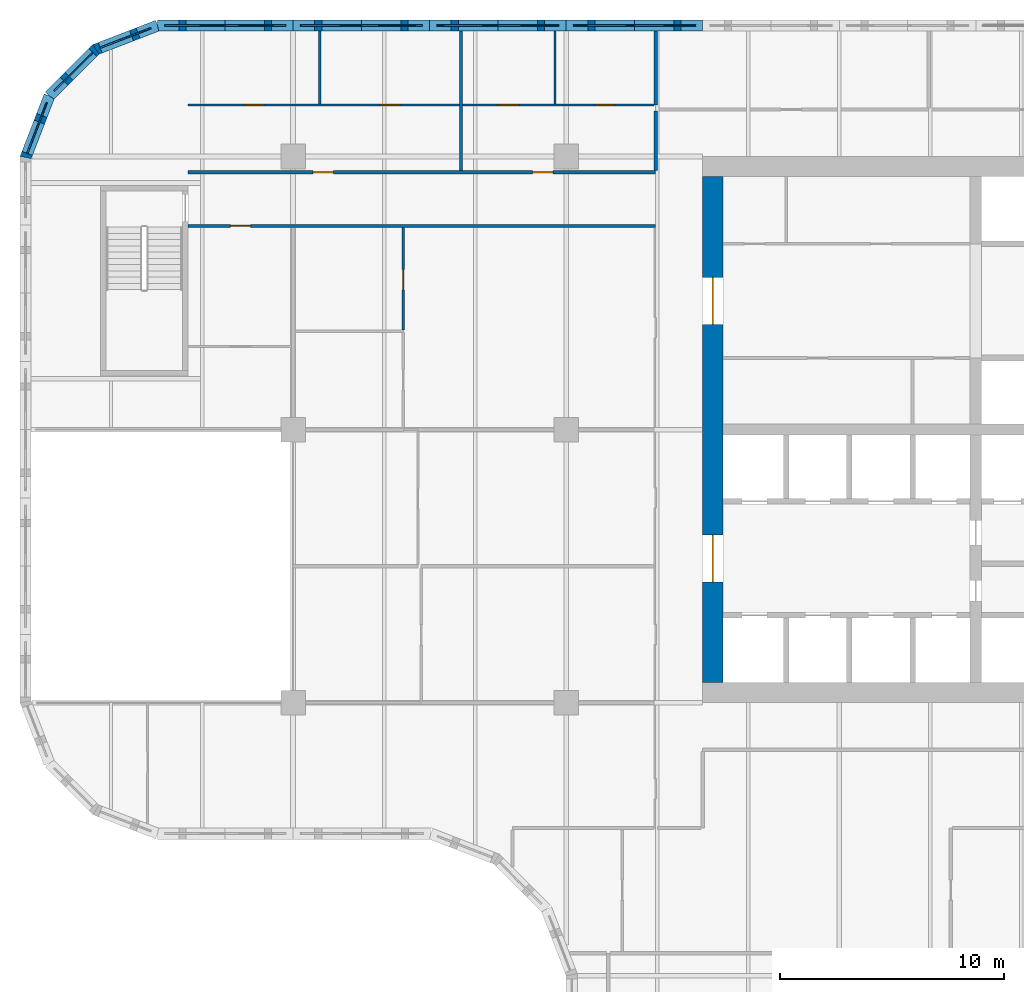
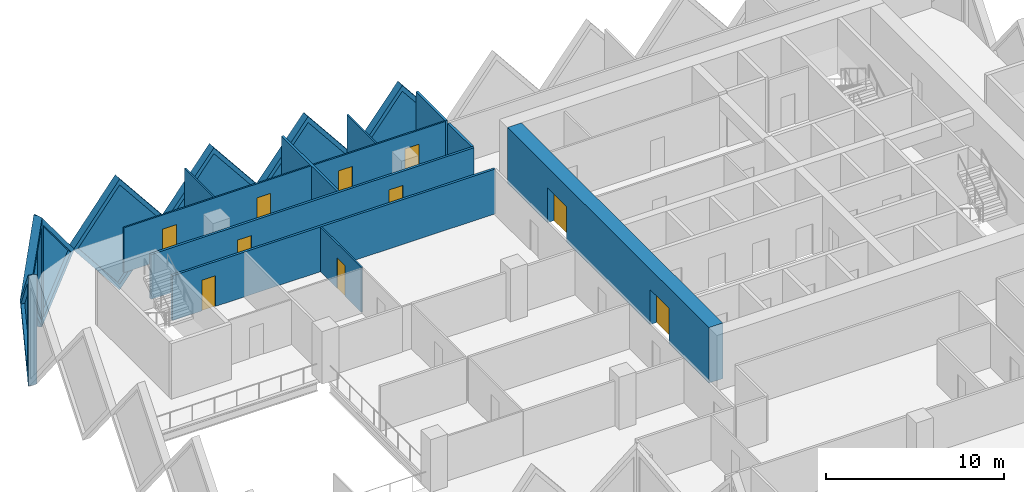
# One storey, part 8 of 18: 18 walls, 10 doors, 7 plates, 17 openings.
"""IFC4 building model written with IfcOpenShell, lengths in metres."""

from ifc_helpers import new_model, si_unit, direction, frame, frame_2d, origin, place, context, subcontext, project, spatial, polyline, rectangle, outline, extrude, faceted_brep, source, transform, mapped, material, layer, layer_set, type_object, element, fill, save


model = new_model("IFC4")

# Units and contexts
model_context = context("Model", 3, precision=1e-05, world=origin(), true_north=direction((0.0, 1.0)))
body_context = subcontext(model_context, "Body", "Model", "MODEL_VIEW")
ifc_project = project(units=[si_unit("LENGTHUNIT", "METRE"), si_unit("AREAUNIT", "SQUARE_METRE"), si_unit("VOLUMEUNIT", "CUBIC_METRE"), si_unit("PLANEANGLEUNIT", "RADIAN"), si_unit("MASSUNIT", "GRAM", prefix="KILO")], contexts=[model_context])

# Site, building, storey
site_placement = place(None, origin())
site = spatial("IfcSite", under=ifc_project, at=site_placement, CompositionType="ELEMENT")
building_placement = place(site_placement, origin())
building = spatial("IfcBuilding", under=site, at=building_placement, Name="Tessera Gate Towers", CompositionType="ELEMENT")
storey_placement = place(building_placement, frame((0.0, 0.0, 44.800048828125)))
storey = spatial("IfcBuildingStorey", under=building, at=storey_placement, Name="L10", CompositionType="ELEMENT", Elevation=44.800048828125)

# Wall, openings, doors
ifc_material_1 = material(Name="Concrete C70/85", Category="concrete")
ifc_layer_1 = layer(ifc_material_1, 0.89990234375)
ifc_layer_set_1 = layer_set([ifc_layer_1], Name="CORE SHEAR WALL 900 C70/85")
wall_type_1 = type_object("IfcWallType", Name="CORE SHEAR WALL 900 C70/85", PredefinedType="SHEAR", material=ifc_layer_set_1)
wall_1_placement = place(storey_placement, frame((30.949951171875, 25.300048828125, 0.0), z_axis=(0.0, 0.0, 1.0), x_axis=(0.0, 1.0, 0.0)))
wall_1 = element("IfcWall", 1, at=wall_1_placement, inside=storey, type_object=wall_type_1, Name="Core wall W L10", PredefinedType="SHEAR", context=body_context, shape_type="SweptSolid", body=[
    extrude(rectangle(XDim=22.599853515625, YDim=0.89990234375, at=frame_2d((11.2998046875, 0.0))), origin(), (0.0, 0.0, 1.0), 3.800048828125),
])
shared_shape_1 = source(origin(), body_context, "Body", "SweptSolid", [
    extrude(rectangle(XDim=2.10009765625, YDim=2.39990234375, at=frame_2d((1.050048828125, 1.199951171875))), frame((0.0, 0.4599609375, 0.0), z_axis=(0.0, -1.0, 0.0), x_axis=(1.0, 0.0, 0.0)), (0.0, 0.0, 1.0), 0.919921875),
])
opening_1_placement = place(wall_1_placement, frame((4.5, 0.0, 0.0)))
opening_1 = element("IfcOpeningElement", 2, at=opening_1_placement, cuts=wall_1, Name="Opening DD-T1-08-02", PredefinedType="OPENING", context=body_context, shape_type="MappedRepresentation", body=[
    mapped(shared_shape_1, transform((0.0, 0.0, 0.0), scale=1.0)),
])
opening_2_placement = place(wall_1_placement, frame((16.0, 0.0, 0.0)))
opening_2 = element("IfcOpeningElement", 3, at=opening_2_placement, cuts=wall_1, Name="Opening DD-T1-08-03", PredefinedType="OPENING", context=body_context, shape_type="MappedRepresentation", body=[
    mapped(shared_shape_1, transform((0.0, 0.0, 0.0), scale=1.0)),
])
ifc_material_2 = material(Name="Hollow steel fire door", Category="steel")
door_type_1 = type_object("IfcDoorType", Name="CORE DOOR DD 2100x2400", OperationType="NOTDEFINED", PredefinedType="DOOR", material=ifc_material_2)
shared_shape_2 = source(origin(), body_context, "Body", "SweptSolid", [
    extrude(rectangle(XDim=2.10009765625, YDim=2.39990234375, at=frame_2d((1.050048828125, 1.199951171875))), frame((0.0, 0.02490234375, 0.0), z_axis=(0.0, -1.0, 0.0), x_axis=(1.0, 0.0, 0.0)), (0.0, 0.0, 1.0), 0.050048828125),
])
door_1_placement = place(opening_1_placement, origin())
door_1 = element("IfcDoor", 4, at=door_1_placement, inside=storey, type_object=door_type_1, Name="Core entrance door", OperationType="DOUBLE_DOOR_SINGLE_SWING", OverallHeight=2.39990234375, OverallWidth=2.10009765625, PredefinedType="DOOR", context=body_context, shape_type="MappedRepresentation", body=[
    mapped(shared_shape_2, transform((0.0, 0.0, 0.0), scale=1.0)),
])
fill(opening_1, door_1)
door_2_placement = place(opening_2_placement, origin())
door_2 = element("IfcDoor", 5, at=door_2_placement, inside=storey, type_object=door_type_1, Name="Core entrance door", OperationType="DOUBLE_DOOR_SINGLE_SWING", OverallHeight=2.39990234375, OverallWidth=2.10009765625, PredefinedType="DOOR", context=body_context, shape_type="MappedRepresentation", body=[
    mapped(shared_shape_2, transform((0.0, 0.0, 0.0), scale=1.0)),
])
fill(opening_2, door_2)

# Wall, opening, door
ifc_material_3 = material(Name="Gypsum board on steel studs, mineral wool", Category="steel")
ifc_layer_2 = layer(ifc_material_3, 0.14990234375)
ifc_layer_set_2 = layer_set([ifc_layer_2], Name="CORRIDOR WALL 150")
wall_type_2 = type_object("IfcWallType", Name="CORRIDOR WALL 150", PredefinedType="PARTITIONING", material=ifc_layer_set_2)
wall_2_placement = place(storey_placement, frame((28.39990234375, 45.699951171875, 0.0), z_axis=(0.0, 0.0, 1.0), x_axis=(-1.0, 0.0, 0.0)))
wall_2 = element("IfcWall", 6, at=wall_2_placement, inside=storey, type_object=wall_type_2, Name="T1-L10-PW-042", PredefinedType="PARTITIONING", context=body_context, shape_type="SweptSolid", body=[
    extrude(rectangle(XDim=20.89990234375, YDim=0.14990234375, at=frame_2d((10.449951171875, 0.0))), origin(), (0.0, 0.0, 1.0), 3.06689453125),
])
shared_shape_3 = source(origin(), body_context, "Body", "SweptSolid", [
    extrude(rectangle(XDim=0.89990234375, YDim=2.10009765625, at=frame_2d((0.449951171875, 1.050048828125))), frame((0.0, 0.0849609375, 0.0), z_axis=(0.0, -1.0, 0.0), x_axis=(1.0, 0.0, 0.0)), (0.0, 0.0, 1.0), 0.169921875),
])
opening_3_placement = place(wall_2_placement, frame((18.10009765625, 0.0, 0.0)))
opening_3 = element("IfcOpeningElement", 7, at=opening_3_placement, cuts=wall_2, Name="Opening D890FD60-A03-02", PredefinedType="OPENING", context=body_context, shape_type="MappedRepresentation", body=[
    mapped(shared_shape_3, transform((0.0, 0.0, 0.0), scale=1.0)),
])
ifc_material_4 = material(Name="Timber door leaf in steel frame", Category="steel")
door_type_2 = type_object("IfcDoorType", Name="CORRIDOR DOOR 900 FD60", OperationType="NOTDEFINED", PredefinedType="DOOR", material=ifc_material_4)
shared_shape_4 = source(origin(), body_context, "Body", "SweptSolid", [
    extrude(rectangle(XDim=0.89990234375, YDim=2.10009765625, at=frame_2d((0.449951171875, 1.050048828125))), frame((0.0, 0.02490234375, 0.0), z_axis=(0.0, -1.0, 0.0), x_axis=(1.0, 0.0, 0.0)), (0.0, 0.0, 1.0), 0.050048828125),
])
door_3_placement = place(opening_3_placement, origin())
door_3 = element("IfcDoor", 8, at=door_3_placement, inside=storey, type_object=door_type_2, Name="T1-L10-PD-007", OperationType="SINGLE_SWING_RIGHT", OverallHeight=2.10009765625, OverallWidth=0.89990234375, PredefinedType="DOOR", context=body_context, shape_type="MappedRepresentation", body=[
    mapped(shared_shape_4, transform((0.0, 0.0, 0.0), scale=1.0)),
])
fill(opening_3, door_3)

# Wall, openings, doors
wall_3_placement = place(storey_placement, frame((7.5, 48.10009765625, 0.0), z_axis=(0.0, 0.0, 1.0), x_axis=(1.0, 0.0, 0.0)))
wall_3 = element("IfcWall", 9, at=wall_3_placement, inside=storey, type_object=wall_type_2, Name="T1-L10-PW-043", PredefinedType="PARTITIONING", context=body_context, shape_type="SweptSolid", body=[
    extrude(rectangle(XDim=20.89990234375, YDim=0.14990234375, at=frame_2d((10.449951171875, 0.0))), origin(), (0.0, 0.0, 1.0), 3.06689453125),
])
opening_4_placement = place(wall_3_placement, frame((15.40087890625, 0.0, 0.0)))
opening_4 = element("IfcOpeningElement", 10, at=opening_4_placement, cuts=wall_3, Name="Opening D890FD60-A03-07", PredefinedType="OPENING", context=body_context, shape_type="MappedRepresentation", body=[
    mapped(shared_shape_3, transform((0.0, 0.0, 0.0), scale=1.0)),
])
opening_5_placement = place(wall_3_placement, frame((5.60009765625, 0.0, 0.0)))
opening_5 = element("IfcOpeningElement", 11, at=opening_5_placement, cuts=wall_3, Name="Opening D890FD60-A03-12", PredefinedType="OPENING", context=body_context, shape_type="MappedRepresentation", body=[
    mapped(shared_shape_3, transform((0.0, 0.0, 0.0), scale=1.0)),
])
door_4_placement = place(opening_4_placement, origin())
door_4 = element("IfcDoor", 12, at=door_4_placement, inside=storey, type_object=door_type_2, Name="T1-L10-PD-022", OperationType="SINGLE_SWING_LEFT", OverallHeight=2.10009765625, OverallWidth=0.89990234375, PredefinedType="DOOR", context=body_context, shape_type="MappedRepresentation", body=[
    mapped(shared_shape_4, transform((0.0, 0.0, 0.0), scale=1.0)),
])
fill(opening_4, door_4)
door_5_placement = place(opening_5_placement, origin())
door_5 = element("IfcDoor", 13, at=door_5_placement, inside=storey, type_object=door_type_2, Name="T1-L10-PD-029", OperationType="SINGLE_SWING_LEFT", OverallHeight=2.10009765625, OverallWidth=0.89990234375, PredefinedType="DOOR", context=body_context, shape_type="MappedRepresentation", body=[
    mapped(shared_shape_4, transform((0.0, 0.0, 0.0), scale=1.0)),
])
fill(opening_5, door_5)

# Wall
wall_4_placement = place(storey_placement, frame((28.39990234375, 48.176025390625, 0.0), z_axis=(0.0, 0.0, 1.0), x_axis=(0.0, 1.0, 0.0)))
element("IfcWall", 14, at=wall_4_placement, inside=storey, type_object=wall_type_2, Name="T1-L10-PW-045", PredefinedType="PARTITIONING", context=body_context, shape_type="SweptSolid", body=[
    extrude(rectangle(XDim=2.64794921875, YDim=0.14990234375, at=frame_2d((1.323974609375, 0.0))), origin(), (0.0, 0.0, 1.0), 3.06689453125),
])

# Wall, opening, door
ifc_material_5 = material(Name="Gypsum board on steel studs", Category="steel")
ifc_layer_3 = layer(ifc_material_5, 0.10009765625)
ifc_layer_set_3 = layer_set([ifc_layer_3], Name="PARTITION 100")
wall_type_3 = type_object("IfcWallType", Name="PARTITION 100", PredefinedType="PARTITIONING", material=ifc_layer_set_3)
wall_5_placement = place(storey_placement, frame((17.125, 41.047119140625, 0.0), z_axis=(0.0, 0.0, 1.0), x_axis=(0.0, 1.0, 0.0)))
wall_5 = element("IfcWall", 15, at=wall_5_placement, inside=storey, type_object=wall_type_3, Name="T1-L10-PW-041", PredefinedType="PARTITIONING", context=body_context, shape_type="SweptSolid", body=[
    extrude(rectangle(XDim=4.576904296875, YDim=0.10009765625, at=frame_2d((2.28857421875, 0.0))), origin(), (0.0, 0.0, 1.0), 3.06689453125),
])
shared_shape_5 = source(origin(), body_context, "Body", "SweptSolid", [
    extrude(rectangle(XDim=0.89990234375, YDim=2.10009765625, at=frame_2d((0.449951171875, 1.050048828125))), frame((0.0, 0.06005859375, 0.0), z_axis=(0.0, -1.0, 0.0), x_axis=(1.0, 0.0, 0.0)), (0.0, 0.0, 1.0), 0.1201171875),
])
opening_6_placement = place(wall_5_placement, frame((1.800048828125, 0.0, 0.0)))
opening_6 = element("IfcOpeningElement", 16, at=opening_6_placement, cuts=wall_5, Name="Opening D190-A03-04", PredefinedType="OPENING", context=body_context, shape_type="MappedRepresentation", body=[
    mapped(shared_shape_5, transform((0.0, 0.0, 0.0), scale=1.0)),
])
ifc_material_6 = material(Name="Timber door leaf in steel frame", Category="steel")
door_type_3 = type_object("IfcDoorType", Name="INTERNAL DOOR 900 NOT RATED", OperationType="NOTDEFINED", PredefinedType="DOOR", material=ifc_material_6)
door_6_placement = place(opening_6_placement, origin())
door_6 = element("IfcDoor", 17, at=door_6_placement, inside=storey, type_object=door_type_3, Name="T1-L10-PD-005", OperationType="SINGLE_SWING_LEFT", OverallHeight=2.10009765625, OverallWidth=0.89990234375, PredefinedType="DOOR", context=body_context, shape_type="MappedRepresentation", body=[
    mapped(shared_shape_4, transform((0.0, 0.0, 0.0), scale=1.0)),
])
fill(opening_6, door_6)

# Wall, openings, doors
wall_6_placement = place(storey_placement, frame((7.5, 51.10009765625, 0.0), z_axis=(0.0, 0.0, 1.0), x_axis=(1.0, 0.0, 0.0)))
wall_6 = element("IfcWall", 18, at=wall_6_placement, inside=storey, type_object=wall_type_3, Name="T1-L10-PW-049", PredefinedType="PARTITIONING", context=body_context, shape_type="SweptSolid", body=[
    extrude(rectangle(XDim=12.1240234375, YDim=0.10009765625, at=frame_2d((6.06201171875, 0.0))), origin(), (0.0, 0.0, 1.0), 3.06689453125),
])
opening_7_placement = place(wall_6_placement, frame((2.5, 0.0, 0.0)))
opening_7 = element("IfcOpeningElement", 19, at=opening_7_placement, cuts=wall_6, Name="Opening D190-A03-07", PredefinedType="OPENING", context=body_context, shape_type="MappedRepresentation", body=[
    mapped(shared_shape_5, transform((0.0, 0.0, 0.0), scale=1.0)),
])
opening_8_placement = place(wall_6_placement, frame((8.59375, 0.0, 0.0)))
opening_8 = element("IfcOpeningElement", 20, at=opening_8_placement, cuts=wall_6, Name="Opening D190-A03-10", PredefinedType="OPENING", context=body_context, shape_type="MappedRepresentation", body=[
    mapped(shared_shape_5, transform((0.0, 0.0, 0.0), scale=1.0)),
])
door_7_placement = place(opening_7_placement, origin())
door_7 = element("IfcDoor", 21, at=door_7_placement, inside=storey, type_object=door_type_3, Name="T1-L10-PD-011", OperationType="SINGLE_SWING_LEFT", OverallHeight=2.10009765625, OverallWidth=0.89990234375, PredefinedType="DOOR", context=body_context, shape_type="MappedRepresentation", body=[
    mapped(shared_shape_4, transform((0.0, 0.0, 0.0), scale=1.0)),
])
fill(opening_7, door_7)
door_8_placement = place(opening_8_placement, origin())
door_8 = element("IfcDoor", 22, at=door_8_placement, inside=storey, type_object=door_type_3, Name="T1-L10-PD-018", OperationType="SINGLE_SWING_LEFT", OverallHeight=2.10009765625, OverallWidth=0.89990234375, PredefinedType="DOOR", context=body_context, shape_type="MappedRepresentation", body=[
    mapped(shared_shape_4, transform((0.0, 0.0, 0.0), scale=1.0)),
])
fill(opening_8, door_8)

wall_7_placement = place(storey_placement, frame((19.77587890625, 51.10009765625, 0.0), z_axis=(0.0, 0.0, 1.0), x_axis=(1.0, 0.0, 0.0)))
wall_7 = element("IfcWall", 23, at=wall_7_placement, inside=storey, type_object=wall_type_3, Name="T1-L10-PW-050", PredefinedType="PARTITIONING", context=body_context, shape_type="SweptSolid", body=[
    extrude(rectangle(XDim=8.548095703125, YDim=0.10009765625, at=frame_2d((4.27392578125, 0.0))), origin(), (0.0, 0.0, 1.0), 3.06689453125),
])
opening_9_placement = place(wall_7_placement, frame((1.60009765625, 0.0, 0.0)))
opening_9 = element("IfcOpeningElement", 24, at=opening_9_placement, cuts=wall_7, Name="Opening D190-A03-01", PredefinedType="OPENING", context=body_context, shape_type="MappedRepresentation", body=[
    mapped(shared_shape_5, transform((0.0, 0.0, 0.0), scale=1.0)),
])
opening_10_placement = place(wall_7_placement, frame((5.927001953125, 0.0, 0.0)))
opening_10 = element("IfcOpeningElement", 25, at=opening_10_placement, cuts=wall_7, Name="Opening D190-A03-03", PredefinedType="OPENING", context=body_context, shape_type="MappedRepresentation", body=[
    mapped(shared_shape_5, transform((0.0, 0.0, 0.0), scale=1.0)),
])
door_9_placement = place(opening_9_placement, origin())
door_9 = element("IfcDoor", 26, at=door_9_placement, inside=storey, type_object=door_type_3, Name="T1-L10-PD-002", OperationType="SINGLE_SWING_LEFT", OverallHeight=2.10009765625, OverallWidth=0.89990234375, PredefinedType="DOOR", context=body_context, shape_type="MappedRepresentation", body=[
    mapped(shared_shape_4, transform((0.0, 0.0, 0.0), scale=1.0)),
])
fill(opening_9, door_9)
door_10_placement = place(opening_10_placement, origin())
door_10 = element("IfcDoor", 27, at=door_10_placement, inside=storey, type_object=door_type_3, Name="T1-L10-PD-004", OperationType="SINGLE_SWING_LEFT", OverallHeight=2.10009765625, OverallWidth=0.89990234375, PredefinedType="DOOR", context=body_context, shape_type="MappedRepresentation", body=[
    mapped(shared_shape_4, transform((0.0, 0.0, 0.0), scale=1.0)),
])
fill(opening_10, door_10)

# Walls
for number, where, z_axis, x_axis, name in (
    (28, (13.39404296875, 51.15087890625, 0.0), (0.0, 0.0, 1.0), (0.0, 1.0, 0.0), "T1-L10-PW-052"),
    (29, (23.903076171875, 51.15087890625, 0.0), (0.0, 0.0, 1.0), (0.0, 1.0, 0.0), "T1-L10-PW-053"),
):
    element("IfcWall", number, at=place(storey_placement, frame(where, z_axis=z_axis, x_axis=x_axis)), inside=storey, type_object=wall_type_3, Name=name, PredefinedType="PARTITIONING", context=body_context, shape_type="SweptSolid", body=[
        extrude(rectangle(XDim=3.2490234375, YDim=0.10009765625, at=frame_2d((1.62451171875, 0.0))), origin(), (0.0, 0.0, 1.0), 3.06689453125),
    ])
ifc_material_7 = material(Name="Gypsum board on steel studs, mineral wool", Category="steel")
ifc_layer_4 = layer(ifc_material_7, 0.14990234375)
ifc_layer_set_4 = layer_set([ifc_layer_4], Name="TENANCY WALL 150")
wall_type_4 = type_object("IfcWallType", Name="TENANCY WALL 150", PredefinedType="PARTITIONING", material=ifc_layer_set_4)
wall_8_placement = place(storey_placement, frame((19.699951171875, 48.176025390625, 0.0), z_axis=(0.0, 0.0, 1.0), x_axis=(0.0, 1.0, 0.0)))
element("IfcWall", 30, at=wall_8_placement, inside=storey, type_object=wall_type_4, Name="T1-L10-PW-044", PredefinedType="PARTITIONING", context=body_context, shape_type="SweptSolid", body=[
    extrude(rectangle(XDim=6.223876953125, YDim=0.14990234375, at=frame_2d((3.11181640625, 0.0))), origin(), (0.0, 0.0, 1.0), 3.06689453125),
])
wall_9_placement = place(storey_placement, frame((28.39990234375, 51.10009765625, 0.0), z_axis=(0.0, 0.0, 1.0), x_axis=(0.0, 1.0, 0.0)))
element("IfcWall", 31, at=wall_9_placement, inside=storey, type_object=wall_type_4, Name="T1-L10-PW-051", PredefinedType="PARTITIONING", context=body_context, shape_type="SweptSolid", body=[
    extrude(rectangle(XDim=3.2998046875, YDim=0.14990234375, at=frame_2d((1.64990234375, 0.0))), origin(), (0.0, 0.0, 1.0), 3.06689453125),
])

# Wall, opening, plate
ifc_material_8 = material(Name="Precast concrete C60/75 white", Category="concrete")
ifc_layer_5 = layer(ifc_material_8, 0.5)
ifc_layer_set_5 = layer_set([ifc_layer_5], Name="TS1 tessera")
wall_type_5 = type_object("IfcWallType", Name="TS1 tessera", PredefinedType="SOLIDWALL", material=ifc_layer_set_5)
shared_shape_6 = source(origin(), body_context, "Body", "Brep", [
    faceted_brep([(3.050048828125, -0.25, 0.0), (6.099853515625, -0.25, 3.7998046875), (6.099853515625, -0.25, 3.80029296875), (3.050048828125, -0.25, 7.60009765625), (0.0, -0.25, 3.800048828125), (0.0, 0.25, 3.800048828125), (3.050048828125, 0.25, 7.60009765625), (6.099853515625, 0.25, 3.80029296875), (6.099853515625, 0.25, 3.7998046875), (3.050048828125, 0.25, 0.0)], [[[0, 1, 2, 3, 4]], [[5, 6, 7, 8, 9]], [[9, 8, 1, 0]], [[7, 6, 3, 2]], [[6, 5, 4, 3]], [[5, 9, 0, 4]], [[1, 8, 7, 2]]]),
])
wall_10_placement = place(storey_placement, frame((24.39990234375, 54.64990234375, -3.800048828125), z_axis=(0.0, 0.0, 1.0), x_axis=(-1.0, 0.0, 0.0)))
wall_10 = element("IfcWall", 32, at=wall_10_placement, inside=storey, type_object=wall_type_5, Name="Precast tessera T1 TS1-0130", PredefinedType="SOLIDWALL", context=body_context, shape_type="MappedRepresentation", body=[
    mapped(shared_shape_6, transform((0.0, 0.0, 0.0), scale=1.0)),
])
shared_shape_7 = source(origin(), body_context, "Body", "SweptSolid", [
    extrude(outline(polyline([(3.050048828125, 0.3994140625), (5.779541015625, 3.800048828125), (3.050048828125, 7.20068359375), (0.320556640625, 3.800048828125), (3.050048828125, 0.3994140625)])), frame((0.0, 0.260009765625, 0.0), z_axis=(0.0, -1.0, 0.0), x_axis=(1.0, 0.0, 0.0)), (0.0, 0.0, 1.0), 0.52001953125),
])
opening_11_placement = place(wall_10_placement, origin())
opening_11 = element("IfcOpeningElement", 33, at=opening_11_placement, cuts=wall_10, Name="Opening T1-PL2-0258", PredefinedType="OPENING", context=body_context, shape_type="MappedRepresentation", body=[
    mapped(shared_shape_7, transform((0.0, 0.0, 0.0), scale=1.0)),
])
ifc_material_9 = material(Name="Low-e laminated glass", Category="glass")
ifc_layer_6 = layer(ifc_material_9, 0.06005859375)
ifc_layer_set_6 = layer_set([ifc_layer_6], Name="PL2 rhombic pane")
plate_type = type_object("IfcPlateType", Name="PL2 rhombic pane", PredefinedType="SHEET", material=ifc_layer_set_6)
shared_shape_8 = source(origin(), body_context, "Body", "SweptSolid", [
    extrude(outline(polyline([(3.050048828125, 0.3994140625), (5.779541015625, 3.800048828125), (3.050048828125, 7.20068359375), (0.320556640625, 3.800048828125), (3.050048828125, 0.3994140625)])), frame((0.0, 0.030029296875, 0.0), z_axis=(0.0, -1.0, 0.0), x_axis=(1.0, 0.0, 0.0)), (0.0, 0.0, 1.0), 0.06005859375),
])
plate_1_placement = place(opening_11_placement, origin())
plate_1 = element("IfcPlate", 34, at=plate_1_placement, inside=storey, type_object=plate_type, Name="Glass pane T1 PL2-0258", PredefinedType="SHEET", context=body_context, shape_type="MappedRepresentation", body=[
    mapped(shared_shape_8, transform((0.0, 0.0, 0.0), scale=1.0)),
])
fill(opening_11, plate_1)

shared_shape_9 = source(origin(), body_context, "Body", "SweptSolid", [
    extrude(outline(polyline([(3.050048828125, 0.0), (6.10009765625, 3.800048828125), (3.050048828125, 7.60009765625), (0.0, 3.800048828125), (3.050048828125, 0.0)])), frame((0.0, 0.25, 0.0), z_axis=(0.0, -1.0, 0.0), x_axis=(1.0, 0.0, 0.0)), (0.0, 0.0, 1.0), 0.5),
])
wall_11_placement = place(storey_placement, frame((30.5, 54.64990234375, -3.800048828125), z_axis=(0.0, 0.0, 1.0), x_axis=(-1.0, 0.0, 0.0)))
wall_11 = element("IfcWall", 35, at=wall_11_placement, inside=storey, type_object=wall_type_5, Name="Precast tessera T1 TS1-0129", PredefinedType="SOLIDWALL", context=body_context, shape_type="MappedRepresentation", body=[
    mapped(shared_shape_9, transform((0.0, 0.0, 0.0), scale=1.0)),
])
opening_12_placement = place(wall_11_placement, origin())
opening_12 = element("IfcOpeningElement", 36, at=opening_12_placement, cuts=wall_11, Name="Opening T1-PL2-0257", PredefinedType="OPENING", context=body_context, shape_type="MappedRepresentation", body=[
    mapped(shared_shape_7, transform((0.0, 0.0, 0.0), scale=1.0)),
])
plate_2_placement = place(opening_12_placement, origin())
plate_2 = element("IfcPlate", 37, at=plate_2_placement, inside=storey, type_object=plate_type, Name="Glass pane T1 PL2-0257", PredefinedType="SHEET", context=body_context, shape_type="MappedRepresentation", body=[
    mapped(shared_shape_8, transform((0.0, 0.0, 0.0), scale=1.0)),
])
fill(opening_12, plate_2)

wall_12_placement = place(storey_placement, frame((18.300048828125, 54.64990234375, -3.800048828125), z_axis=(0.0, 0.0, 1.0), x_axis=(-1.0, 0.0, 0.0)))
wall_12 = element("IfcWall", 38, at=wall_12_placement, inside=storey, type_object=wall_type_5, Name="Precast tessera T1 TS1-0131", PredefinedType="SOLIDWALL", context=body_context, shape_type="MappedRepresentation", body=[
    mapped(shared_shape_9, transform((0.0, 0.0, 0.0), scale=1.0)),
])
opening_13_placement = place(wall_12_placement, origin())
opening_13 = element("IfcOpeningElement", 39, at=opening_13_placement, cuts=wall_12, Name="Opening T1-PL2-0259", PredefinedType="OPENING", context=body_context, shape_type="MappedRepresentation", body=[
    mapped(shared_shape_7, transform((0.0, 0.0, 0.0), scale=1.0)),
])
plate_3_placement = place(opening_13_placement, origin())
plate_3 = element("IfcPlate", 40, at=plate_3_placement, inside=storey, type_object=plate_type, Name="Glass pane T1 PL2-0259", PredefinedType="SHEET", context=body_context, shape_type="MappedRepresentation", body=[
    mapped(shared_shape_8, transform((0.0, 0.0, 0.0), scale=1.0)),
])
fill(opening_13, plate_3)

shared_shape_10 = source(origin(), body_context, "Body", "Brep", [
    faceted_brep([(3.050048828125, -0.25, 0.0), (6.053466796875, -0.25, 3.800048828125), (3.050048828125, -0.25, 7.60009765625), (0.0, -0.25, 3.800048828125), (0.0, 0.25, 3.800048828125), (3.050048828125, 0.25, 7.60009765625), (6.0068359375, 0.25, 3.85888671875), (6.0068359375, 0.25, 3.7412109375), (3.050048828125, 0.25, 0.0), (6.053466796875, 0.0, 3.800048828125)], [[[0, 1, 2, 3]], [[4, 5, 6, 7, 8]], [[8, 7, 9, 1, 0]], [[6, 5, 2, 1, 9]], [[5, 4, 3, 2]], [[4, 8, 0, 3]], [[9, 7, 6]]]),
])
wall_13_placement = place(storey_placement, frame((12.199951171875, 54.64990234375, -3.800048828125), z_axis=(0.0, 0.0, 1.0), x_axis=(-1.0, 0.0, 0.0)))
wall_13 = element("IfcWall", 41, at=wall_13_placement, inside=storey, type_object=wall_type_5, Name="Precast tessera T1 TS1-0132", PredefinedType="SOLIDWALL", context=body_context, shape_type="MappedRepresentation", body=[
    mapped(shared_shape_10, transform((0.0, 0.0, 0.0), scale=1.0)),
])
shared_shape_11 = source(origin(), body_context, "Body", "SweptSolid", [
    extrude(outline(polyline([(3.048583984375, 0.4013671875), (5.73486328125, 3.800048828125), (3.048583984375, 7.19873046875), (0.320556640625, 3.800048828125), (3.048583984375, 0.4013671875)])), frame((0.0, 0.260009765625, 0.0), z_axis=(0.0, -1.0, 0.0), x_axis=(1.0, 0.0, 0.0)), (0.0, 0.0, 1.0), 0.52001953125),
])
opening_14_placement = place(wall_13_placement, origin())
opening_14 = element("IfcOpeningElement", 42, at=opening_14_placement, cuts=wall_13, Name="Opening T1-PL2-0260", PredefinedType="OPENING", context=body_context, shape_type="MappedRepresentation", body=[
    mapped(shared_shape_11, transform((0.0, 0.0, 0.0), scale=1.0)),
])
shared_shape_12 = source(origin(), body_context, "Body", "SweptSolid", [
    extrude(outline(polyline([(3.048583984375, 0.4013671875), (5.73486328125, 3.800048828125), (3.048583984375, 7.19873046875), (0.320556640625, 3.800048828125), (3.048583984375, 0.4013671875)])), frame((0.0, 0.030029296875, 0.0), z_axis=(0.0, -1.0, 0.0), x_axis=(1.0, 0.0, 0.0)), (0.0, 0.0, 1.0), 0.06005859375),
])
plate_4_placement = place(opening_14_placement, origin())
plate_4 = element("IfcPlate", 43, at=plate_4_placement, inside=storey, type_object=plate_type, Name="Glass pane T1 PL2-0260", PredefinedType="SHEET", context=body_context, shape_type="MappedRepresentation", body=[
    mapped(shared_shape_12, transform((0.0, 0.0, 0.0), scale=1.0)),
])
fill(opening_14, plate_4)

ifc_material_10 = material(Name="Precast concrete C60/75 white", Category="concrete")
ifc_layer_7 = layer(ifc_material_10, 0.5)
ifc_layer_set_7 = layer_set([ifc_layer_7], Name="TS3 corner tessera")
wall_type_6 = type_object("IfcWallType", Name="TS3 corner tessera", PredefinedType="SOLIDWALL", material=ifc_layer_set_7)
shared_shape_13 = source(origin(), body_context, "Body", "Brep", [
    faceted_brep([(2.950439453125, -0.25, 0.0), (3.00341796875, -0.25, 0.068359375), (3.00341796875, -0.25, 7.53173828125), (2.950439453125, -0.25, 7.60009765625), (0.0, -0.25, 3.800048828125), (0.046630859375, 0.25, 3.860107421875), (2.897705078125, 0.25, 7.531982421875), (2.897705078125, 0.25, 0.068115234375), (0.046630859375, 0.25, 3.739990234375), (2.950439453125, 0.00048828125, 0.0), (2.950439453125, 0.00048828125, 7.60009765625), (0.0, 0.0, 3.800048828125)], [[[0, 1, 2, 3, 4]], [[5, 6, 7, 8]], [[1, 0, 9]], [[10, 3, 2]], [[6, 5, 11, 4, 3, 10]], [[8, 7, 9, 0, 4, 11]], [[8, 11, 5]], [[1, 9, 7, 6, 10, 2]]]),
])
wall_14_placement = place(storey_placement, frame((6.146484375, 54.64990234375, -3.800048828125), z_axis=(0.0, 0.0, 1.0), x_axis=(-0.932997369089, -0.359883188373, 0.0)))
wall_14 = element("IfcWall", 44, at=wall_14_placement, inside=storey, type_object=wall_type_6, Name="Precast corner tessera T1 TS3-0201", PredefinedType="SOLIDWALL", context=body_context, shape_type="MappedRepresentation", body=[
    mapped(shared_shape_13, transform((0.0, 0.0, 0.0), scale=1.0)),
])
shared_shape_14 = source(origin(), body_context, "Body", "SweptSolid", [
    extrude(outline(polyline([(2.75048828125, 6.934814453125), (0.31640625, 3.800048828125), (2.75048828125, 0.665283203125), (2.75048828125, 6.934814453125)])), frame((0.0, 0.260009765625, 0.0), z_axis=(0.0, -1.0, 0.0), x_axis=(1.0, 0.0, 0.0)), (0.0, 0.0, 1.0), 0.52001953125),
])
opening_15_placement = place(wall_14_placement, origin())
opening_15 = element("IfcOpeningElement", 45, at=opening_15_placement, cuts=wall_14, Name="Opening T1-PL2-0261", PredefinedType="OPENING", context=body_context, shape_type="MappedRepresentation", body=[
    mapped(shared_shape_14, transform((0.0, 0.0, 0.0), scale=1.0)),
])
shared_shape_15 = source(origin(), body_context, "Body", "SweptSolid", [
    extrude(outline(polyline([(2.75048828125, 6.934814453125), (0.31640625, 3.800048828125), (2.75048828125, 0.665283203125), (2.75048828125, 6.934814453125)])), frame((0.0, 0.030029296875, 0.0), z_axis=(0.0, -1.0, 0.0), x_axis=(1.0, 0.0, 0.0)), (0.0, 0.0, 1.0), 0.06005859375),
])
plate_5_placement = place(opening_15_placement, origin())
plate_5 = element("IfcPlate", 46, at=plate_5_placement, inside=storey, type_object=plate_type, Name="Glass pane T1 PL2-0261", PredefinedType="SHEET", context=body_context, shape_type="MappedRepresentation", body=[
    mapped(shared_shape_15, transform((0.0, 0.0, 0.0), scale=1.0)),
])
fill(opening_15, plate_5)

shared_shape_16 = source(origin(), body_context, "Body", "Brep", [
    faceted_brep([(0.052978515625, -0.25, 0.0), (2.9970703125, -0.25, 3.800048828125), (0.052978515625, -0.25, 7.60009765625), (0.0, -0.25, 7.531982421875), (0.0, -0.25, 0.068115234375), (0.10595703125, 0.25, 7.53173828125), (2.944091796875, 0.25, 3.8681640625), (2.944091796875, 0.25, 3.73193359375), (0.10595703125, 0.25, 0.068359375), (2.9970703125, 0.000244140625, 3.800048828125), (0.052978515625, 0.0, 0.0), (0.052978515625, 0.0, 7.60009765625)], [[[0, 1, 2, 3, 4]], [[5, 6, 7, 8]], [[8, 7, 9, 1, 0, 10]], [[6, 5, 11, 2, 1, 9]], [[3, 2, 11]], [[10, 0, 4]], [[8, 10, 4, 3, 11, 5]], [[9, 7, 6]]]),
])
wall_15_placement = place(storey_placement, frame((3.43115234375, 53.62548828125, -3.800048828125), z_axis=(0.0, 0.0, 1.0), x_axis=(-0.707106781187, -0.707106781187, 0.0)))
wall_15 = element("IfcWall", 47, at=wall_15_placement, inside=storey, type_object=wall_type_6, Name="Precast corner tessera T1 TS3-0202", PredefinedType="SOLIDWALL", context=body_context, shape_type="MappedRepresentation", body=[
    mapped(shared_shape_16, transform((0.0, 0.0, 0.0), scale=1.0)),
])
shared_shape_17 = source(origin(), body_context, "Body", "SweptSolid", [
    extrude(outline(polyline([(0.2529296875, 0.666259765625), (2.680908203125, 3.800048828125), (0.2529296875, 6.93359375), (0.2529296875, 0.666259765625)])), frame((0.0, 0.260009765625, 0.0), z_axis=(0.0, -1.0, 0.0), x_axis=(1.0, 0.0, 0.0)), (0.0, 0.0, 1.0), 0.52001953125),
])
opening_16_placement = place(wall_15_placement, origin())
opening_16 = element("IfcOpeningElement", 48, at=opening_16_placement, cuts=wall_15, Name="Opening T1-PL2-0262", PredefinedType="OPENING", context=body_context, shape_type="MappedRepresentation", body=[
    mapped(shared_shape_17, transform((0.0, 0.0, 0.0), scale=1.0)),
])
shared_shape_18 = source(origin(), body_context, "Body", "SweptSolid", [
    extrude(outline(polyline([(0.2529296875, 0.666259765625), (2.680908203125, 3.800048828125), (0.2529296875, 6.93359375), (0.2529296875, 0.666259765625)])), frame((0.0, 0.030029296875, 0.0), z_axis=(0.0, -1.0, 0.0), x_axis=(1.0, 0.0, 0.0)), (0.0, 0.0, 1.0), 0.06005859375),
])
plate_6_placement = place(opening_16_placement, origin())
plate_6 = element("IfcPlate", 49, at=plate_6_placement, inside=storey, type_object=plate_type, Name="Glass pane T1 PL2-0262", PredefinedType="SHEET", context=body_context, shape_type="MappedRepresentation", body=[
    mapped(shared_shape_18, transform((0.0, 0.0, 0.0), scale=1.0)),
])
fill(opening_16, plate_6)

shared_shape_19 = source(origin(), body_context, "Body", "Brep", [
    faceted_brep([(2.950439453125, -0.25, 0.0), (2.9970703125, -0.25, 0.05908203125), (2.9970703125, -0.25, 7.541015625), (2.950439453125, -0.25, 7.60009765625), (0.0, -0.25, 3.800048828125), (0.052978515625, 0.25, 3.8681640625), (2.904052734375, 0.25, 7.540283203125), (2.904052734375, 0.25, 0.059814453125), (0.052978515625, 0.25, 3.73193359375), (2.950439453125, 0.00048828125, 0.0), (2.950439453125, 0.00048828125, 7.60009765625), (0.0, 0.0, 3.800048828125)], [[[0, 1, 2, 3, 4]], [[5, 6, 7, 8]], [[1, 0, 9]], [[10, 3, 2]], [[6, 5, 11, 4, 3, 10]], [[8, 7, 9, 0, 4, 11]], [[8, 11, 5]], [[1, 9, 7, 6, 10, 2]]]),
])
wall_16_placement = place(storey_placement, frame((1.31201171875, 51.50634765625, -3.800048828125), z_axis=(0.0, 0.0, 1.0), x_axis=(-0.359944998003, -0.932973525033, 0.0)))
wall_16 = element("IfcWall", 50, at=wall_16_placement, inside=storey, type_object=wall_type_6, Name="Precast corner tessera T1 TS3-0203", PredefinedType="SOLIDWALL", context=body_context, shape_type="MappedRepresentation", body=[
    mapped(shared_shape_19, transform((0.0, 0.0, 0.0), scale=1.0)),
])
opening_17_placement = place(wall_16_placement, origin())
opening_17 = element("IfcOpeningElement", 51, at=opening_17_placement, cuts=wall_16, Name="Opening T1-PL2-0263", PredefinedType="OPENING", context=body_context, shape_type="MappedRepresentation", body=[
    mapped(shared_shape_14, transform((0.0, 0.0, 0.0), scale=1.0)),
])
plate_7_placement = place(opening_17_placement, origin())
plate_7 = element("IfcPlate", 52, at=plate_7_placement, inside=storey, type_object=plate_type, Name="Glass pane T1 PL2-0263", PredefinedType="SHEET", context=body_context, shape_type="MappedRepresentation", body=[
    mapped(shared_shape_15, transform((0.0, 0.0, 0.0), scale=1.0)),
])
fill(opening_17, plate_7)

save(model, "model.ifc")
